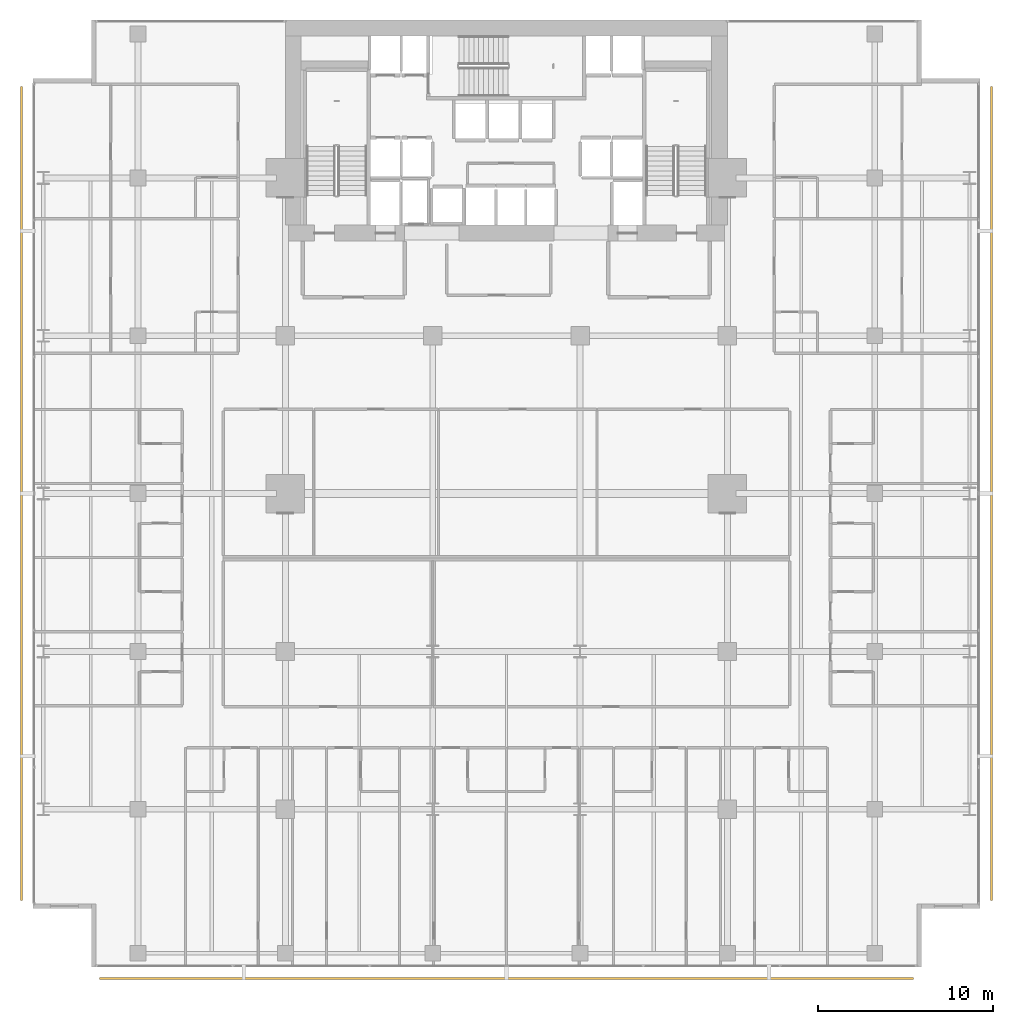
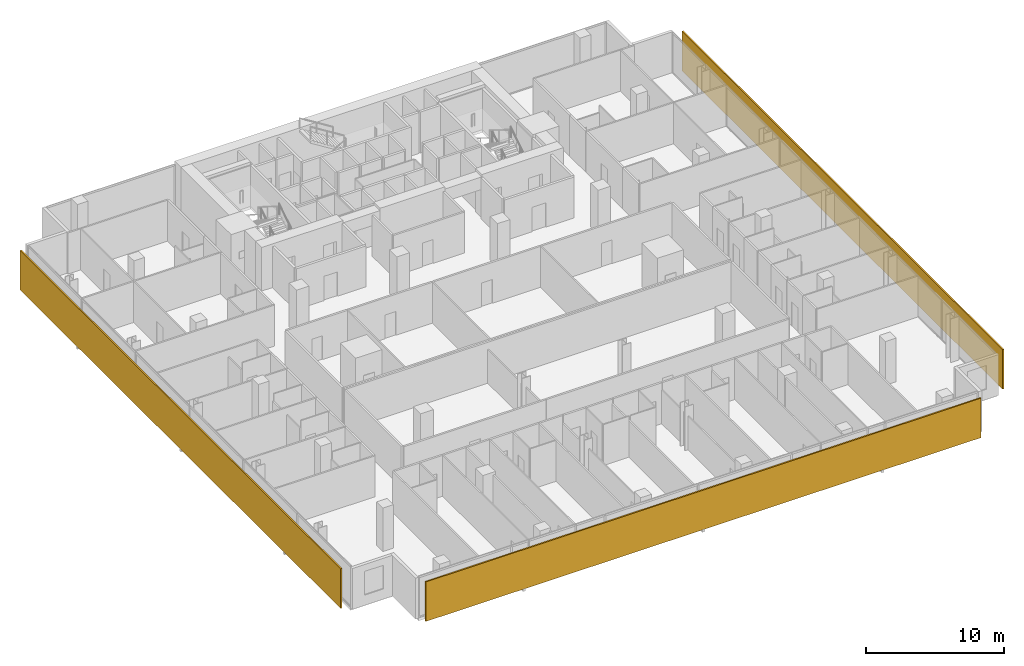
# One storey, part 39 of 40: 3 shading devices.
"""IFC4 building model written with IfcOpenShell, lengths in metres."""

from ifc_helpers import new_model, si_unit, direction, frame, origin, origin_2d, place, context, subcontext, project, spatial, rectangle, extrude, material, layer, layer_set, type_object, element, save


model = new_model("IFC4")

# Units and contexts
model_context = context("Model", 3, precision=1e-05, world=origin(), true_north=direction((0.0, 1.0)))
body_context = subcontext(model_context, "Body", "Model", "MODEL_VIEW")
ifc_project = project(units=[si_unit("LENGTHUNIT", "METRE"), si_unit("AREAUNIT", "SQUARE_METRE"), si_unit("VOLUMEUNIT", "CUBIC_METRE"), si_unit("PLANEANGLEUNIT", "RADIAN"), si_unit("MASSUNIT", "GRAM", prefix="KILO")], contexts=[model_context])

# Site, building, storey
site_placement = place(None, origin())
site = spatial("IfcSite", under=ifc_project, at=site_placement, CompositionType="ELEMENT")
building_placement = place(site_placement, origin())
building = spatial("IfcBuilding", under=site, at=building_placement, Name="Maruvema Waterfront Hotel and Observation Tower", CompositionType="ELEMENT")
storey_placement = place(building_placement, frame((0.0, 0.0, 30.800048828125)))
storey = spatial("IfcBuildingStorey", under=building, at=storey_placement, Name="L06", CompositionType="ELEMENT", Elevation=30.800048828125)

# Shading devices
ifc_material = material(Name="Honed travertine stone and anodised architectural bronze", Category="masonry")
ifc_layer = layer(ifc_material, 0.1201171875, Name="Ventilated Outer Skin Cobogo Stone-and-Bronze Screen 120 mm")
ifc_layer_set = layer_set([ifc_layer], Name="Honed travertine stone and anodised architectural bronze")
shading_device_type = type_object("IfcShadingDeviceType", Name="Ventilated Outer Skin Cobogo Stone-and-Bronze Screen 120 mm", PredefinedType="USERDEFINED", material=ifc_layer_set)
for number, where, z_axis, x_axis, name in (
    (1, (37.800048828125, -0.64990234375, 0.06005859375), (0.0, 0.0, 1.0), (1.0, 0.0, 0.0), "L06 Ventilated Double-Skin Outer Cobogo Screen OS-L06-S"),
    (2, (65.449951171875, 27.0, 0.06005859375), (0.0, 0.0, 1.0), (0.0, 1.0, 0.0), "L06 Ventilated Double-Skin Outer Cobogo Screen OS-L06-E"),
    (3, (10.14990234375, 27.0, 0.06005859375), (0.0, 0.0, 1.0), (0.0, -1.0, 0.0), "L06 Ventilated Double-Skin Outer Cobogo Screen OS-L06-W"),
):
    element("IfcShadingDevice", number, at=place(storey_placement, frame(where, z_axis=z_axis, x_axis=x_axis)), inside=storey, type_object=shading_device_type, Name=name, ObjectType="OUTER SKIN SCREEN", PredefinedType="USERDEFINED", context=body_context, shape_type="SweptSolid", body=[
        extrude(rectangle(XDim=46.39990234375, YDim=0.1201171875, at=origin_2d()), origin(), (0.0, 0.0, 1.0), 3.489990234375),
    ])

save(model, "model.ifc")
